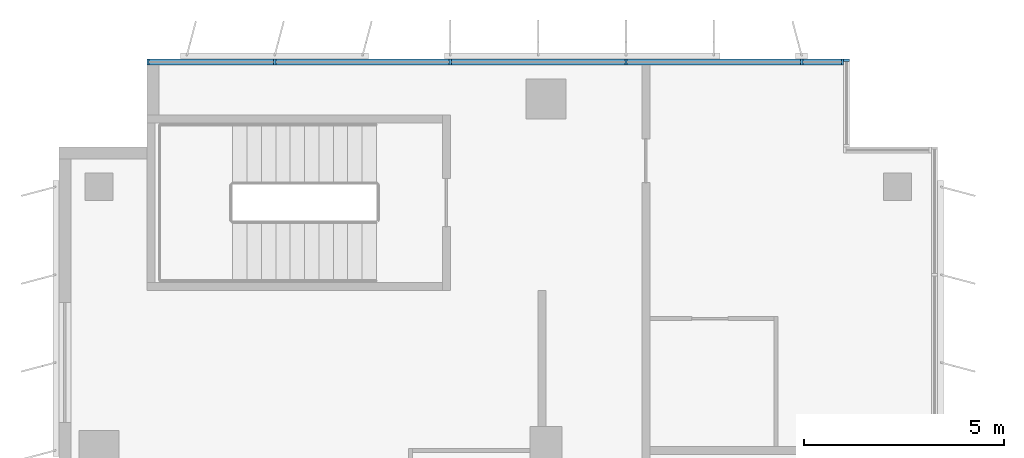
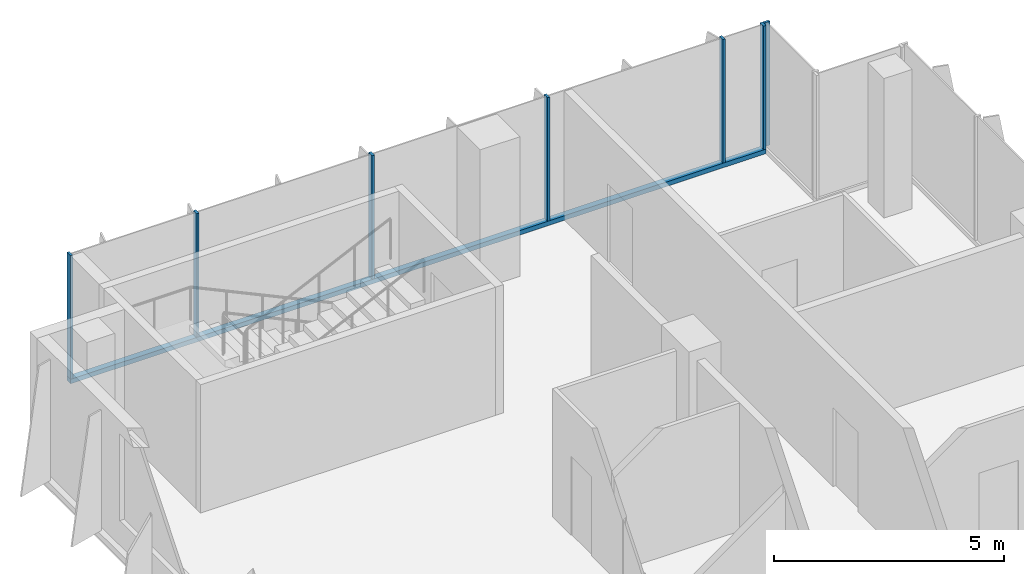
# One storey, part 9 of 21: 8 members, 2 elements without a shape of their own.
"""IFC4 building model written with IfcOpenShell, lengths in metres."""

from ifc_helpers import new_model, si_unit, direction, frame, origin, origin_2d, place, context, subcontext, project, spatial, rectangle, extrude, source, transform, mapped, material, material_profile, profile_set, type_object, element, aggregate, save


model = new_model("IFC4")

# Units and contexts
model_context = context("Model", 3, precision=1e-05, world=origin(), true_north=direction((0.0, 1.0)))
body_context = subcontext(model_context, "Body", "Model", "MODEL_VIEW")
ifc_project = project(units=[si_unit("LENGTHUNIT", "METRE"), si_unit("AREAUNIT", "SQUARE_METRE"), si_unit("VOLUMEUNIT", "CUBIC_METRE"), si_unit("PLANEANGLEUNIT", "RADIAN"), si_unit("MASSUNIT", "GRAM", prefix="KILO")], contexts=[model_context])

# Site, building, storey
site_placement = place(None, origin())
site = spatial("IfcSite", under=ifc_project, at=site_placement, CompositionType="ELEMENT")
building_placement = place(site_placement, origin())
building = spatial("IfcBuilding", under=site, at=building_placement, Name="Kemantara Hotel Tower", CompositionType="ELEMENT")
storey_placement = place(building_placement, frame((0.0, 0.0, 167.89990234375)))
storey = spatial("IfcBuildingStorey", under=building, at=storey_placement, Name="L41", CompositionType="ELEMENT", Elevation=167.89990234375)

# Curtain wall, members
ifc_material_1 = material(Name="Low-E tinted double insulated glass 36 mm", Category="glass")
curtain_wall_type = type_object("IfcCurtainWallType", Name="TOWER CURTAIN WALL, FRONT FACES", PredefinedType="USERDEFINED", material=ifc_material_1)
curtain_wall_1_placement = place(storey_placement, origin())
curtain_wall_1 = element("IfcCurtainWall", 1, at=curtain_wall_1_placement, inside=storey, type_object=curtain_wall_type, Name="CW4 L41 T3-R02-1", ObjectType="TOWER CURTAIN WALL, FRONT FACES", PredefinedType="USERDEFINED")
ifc_material_2 = material(Name="Aluminium 6063-T6 bronze anodised", Category="aluminium")
ifc_material_profile_1 = material_profile(ifc_material_2, rectangle(XDim=0.14990234375, YDim=0.1201171875, at=origin_2d()), Name="TOWER CURTAIN WALL, FRONT FACES TRANSOM")
ifc_profile_set_1 = profile_set([ifc_material_profile_1], Name="Aluminium 6063-T6 bronze anodised")
member_type_1 = type_object("IfcMemberType", Name="TOWER CURTAIN WALL, FRONT FACES TRANSOM", PredefinedType="USERDEFINED", material=ifc_profile_set_1)
member_1_placement = place(storey_placement, frame((19.64990234375, 63.52490234375, 0.06005859375), z_axis=(-1.0, 0.0, 0.0), x_axis=(0.0, -1.0, 0.0)))
member_1 = element("IfcMember", 2, at=member_1_placement, type_object=member_type_1, Name="CW4 sill transom T3-R02-1", ObjectType="TRANSOM", PredefinedType="USERDEFINED", context=body_context, shape_type="SweptSolid", body=[
    extrude(rectangle(XDim=0.14990234375, YDim=0.1201171875, at=origin_2d()), origin(), (0.0, 0.0, 1.0), 17.449951171875),
])
ifc_material_profile_2 = material_profile(ifc_material_2, rectangle(XDim=0.14990234375, YDim=0.06005859375, at=origin_2d()), Name="TOWER CURTAIN WALL, FRONT FACES MULLION")
ifc_profile_set_2 = profile_set([ifc_material_profile_2], Name="Aluminium 6063-T6 bronze anodised")
member_type_2 = type_object("IfcMemberType", Name="TOWER CURTAIN WALL, FRONT FACES MULLION", PredefinedType="MULLION", material=ifc_profile_set_2)
shared_shape = source(origin(), body_context, "Body", "SweptSolid", [
    extrude(rectangle(XDim=0.14990234375, YDim=0.06005859375, at=origin_2d()), origin(), (0.0, 0.0, 1.0), 3.280029296875),
])
member_2_placement = place(storey_placement, frame((19.6201171875, 63.52490234375, 0.1201171875), z_axis=(0.0, 0.0, 1.0), x_axis=(0.0, -1.0, 0.0)))
member_2 = element("IfcMember", 3, at=member_2_placement, type_object=member_type_2, Name="CW4 mullion T3-R02-1.1", PredefinedType="MULLION", context=body_context, shape_type="MappedRepresentation", body=[
    mapped(shared_shape, transform((0.0, 0.0, 0.0))),
])
member_3_placement = place(storey_placement, frame((18.60009765625, 63.52490234375, 0.1201171875), z_axis=(0.0, 0.0, 1.0), x_axis=(0.0, -1.0, 0.0)))
member_3 = element("IfcMember", 4, at=member_3_placement, type_object=member_type_2, Name="CW4 mullion T3-R02-1.2", PredefinedType="MULLION", context=body_context, shape_type="MappedRepresentation", body=[
    mapped(shared_shape, transform((0.0, 0.0, 0.0))),
])
member_4_placement = place(storey_placement, frame((14.199951171875, 63.52490234375, 0.1201171875), z_axis=(0.0, 0.0, 1.0), x_axis=(0.0, -1.0, 0.0)))
member_4 = element("IfcMember", 5, at=member_4_placement, type_object=member_type_2, Name="CW4 mullion T3-R02-1.3", PredefinedType="MULLION", context=body_context, shape_type="MappedRepresentation", body=[
    mapped(shared_shape, transform((0.0, 0.0, 0.0))),
])
member_5_placement = place(storey_placement, frame((9.800048828125, 63.52490234375, 0.1201171875), z_axis=(0.0, 0.0, 1.0), x_axis=(0.0, -1.0, 0.0)))
member_5 = element("IfcMember", 6, at=member_5_placement, type_object=member_type_2, Name="CW4 mullion T3-R02-1.4", PredefinedType="MULLION", context=body_context, shape_type="MappedRepresentation", body=[
    mapped(shared_shape, transform((0.0, 0.0, 0.0))),
])
member_6_placement = place(storey_placement, frame((5.39990234375, 63.52490234375, 0.1201171875), z_axis=(0.0, 0.0, 1.0), x_axis=(0.0, -1.0, 0.0)))
member_6 = element("IfcMember", 7, at=member_6_placement, type_object=member_type_2, Name="CW4 mullion T3-R02-1.5", PredefinedType="MULLION", context=body_context, shape_type="MappedRepresentation", body=[
    mapped(shared_shape, transform((0.0, 0.0, 0.0))),
])
member_7_placement = place(storey_placement, frame((2.22998046875, 63.52490234375, 0.1201171875), z_axis=(0.0, 0.0, 1.0), x_axis=(0.0, -1.0, 0.0)))
member_7 = element("IfcMember", 8, at=member_7_placement, type_object=member_type_2, Name="CW4 mullion T3-R02-1.6", PredefinedType="MULLION", context=body_context, shape_type="MappedRepresentation", body=[
    mapped(shared_shape, transform((0.0, 0.0, 0.0))),
])
aggregate(curtain_wall_1, [member_1, member_2, member_3, member_4, member_5, member_6, member_7])

# Curtain wall, member
curtain_wall_2_placement = place(storey_placement, origin())
curtain_wall_2 = element("IfcCurtainWall", 9, at=curtain_wall_2_placement, inside=storey, type_object=curtain_wall_type, Name="CW4 L41 T3-R01-1", ObjectType="TOWER CURTAIN WALL, FRONT FACES", PredefinedType="USERDEFINED")
member_8_placement = place(storey_placement, frame((19.72509765625, 63.570068359375, 0.1201171875), z_axis=(0.0, 0.0, 1.0), x_axis=(-1.0, 0.0, 0.0)))
member_8 = element("IfcMember", 10, at=member_8_placement, type_object=member_type_2, Name="CW4 mullion T3-R01-1.2", PredefinedType="MULLION", context=body_context, shape_type="MappedRepresentation", body=[
    mapped(shared_shape, transform((0.0, 0.0, 0.0))),
])
aggregate(curtain_wall_2, [member_8])

save(model, "model.ifc")
